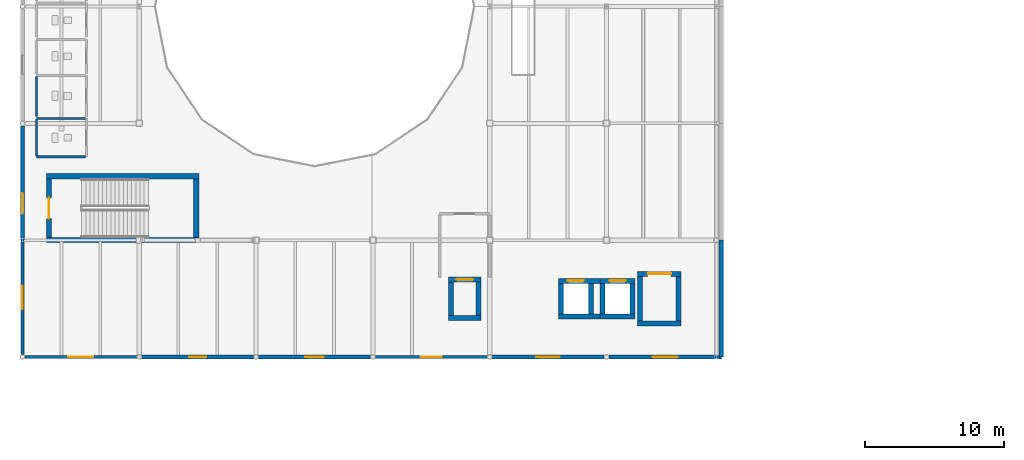
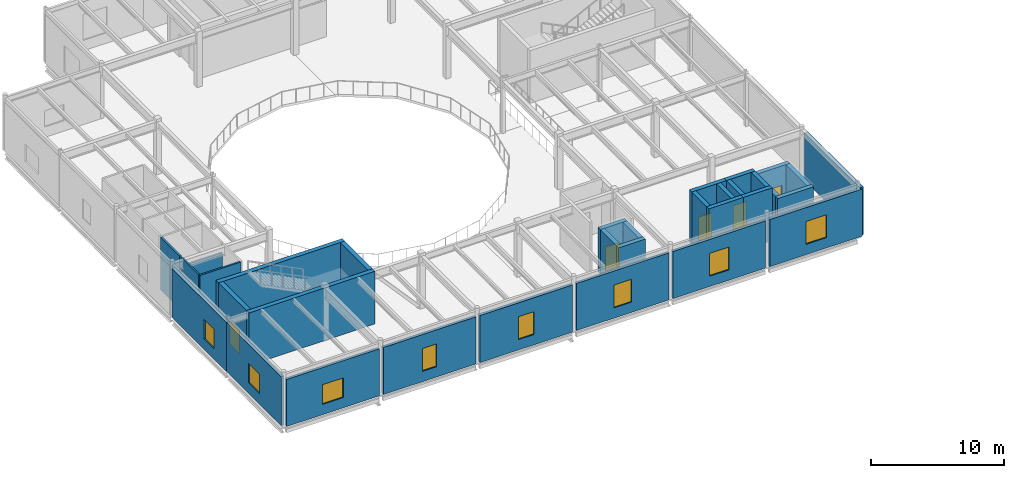
# One storey, part 32 of 57: 33 walls, 8 windows, 5 doors, 13 openings.
"""IFC4 building model written with IfcOpenShell, lengths in metres."""

from ifc_helpers import new_model, si_unit, direction, frame, frame_2d, origin, place, context, subcontext, project, spatial, rectangle, extrude, material, layer, layer_set, type_object, element, fill, save


model = new_model("IFC4")

# Units and contexts
model_context = context("Model", 3, precision=1e-05, world=origin(), true_north=direction((0.0, 1.0)))
body_context = subcontext(model_context, "Body", "Model", "MODEL_VIEW")
ifc_project = project(units=[si_unit("LENGTHUNIT", "METRE"), si_unit("AREAUNIT", "SQUARE_METRE"), si_unit("VOLUMEUNIT", "CUBIC_METRE"), si_unit("PLANEANGLEUNIT", "RADIAN"), si_unit("MASSUNIT", "GRAM", prefix="KILO"), si_unit("THERMODYNAMICTEMPERATUREUNIT", "KELVIN")], contexts=[model_context])

# Site, building, storey
site_placement = place(None, origin())
site = spatial("IfcSite", under=ifc_project, at=site_placement, CompositionType="ELEMENT")
building_placement = place(site_placement, origin())
building = spatial("IfcBuilding", under=site, at=building_placement, Name="Lustrewick Department Store", CompositionType="ELEMENT")
storey_placement = place(building_placement, frame((0.0, 0.0, 26.699951171875)))
storey = spatial("IfcBuildingStorey", under=building, at=storey_placement, Name="L06", CompositionType="ELEMENT", Elevation=26.699951171875)

# Wall, opening, window
ifc_material_1 = material(Name="Precast concrete C40", Category="concrete")
ifc_layer_1 = layer(ifc_material_1, 0.239990234375, Name="Precast concrete C40")
ifc_layer_set_1 = layer_set([ifc_layer_1], Name="Precast concrete C40")
wall_type_1 = type_object("IfcWallType", Name="EW01", PredefinedType="STANDARD", material=ifc_layer_set_1)
wall_1_placement = place(storey_placement, frame((8.39990234375, 50.39990234375, 0.0), z_axis=(0.0, 0.0, 1.0), x_axis=(0.0, -1.0, 0.0)))
wall_1 = element("IfcWall", 1, at=wall_1_placement, inside=storey, type_object=wall_type_1, Name="L06 V1 Exterior Wall EW01", PredefinedType="STANDARD", context=body_context, shape_type="SweptSolid", body=[
    extrude(rectangle(XDim=8.226806640625, YDim=0.239990234375, at=frame_2d((4.11328125, 0.0))), origin(), (0.0, 0.0, 1.0), 4.487060546875),
])
opening_1_placement = place(wall_1_placement, frame((3.2734375, 0.0, 0.949951171875)))
opening_1 = element("IfcOpeningElement", 2, at=opening_1_placement, cuts=wall_1, Name="Opening WN04", PredefinedType="OPENING", context=body_context, shape_type="SweptSolid", body=[
    extrude(rectangle(XDim=1.679931640625, YDim=1.800048828125, at=frame_2d((0.83984375, 0.89990234375))), frame((0.0, 0.1298828125, 0.0), z_axis=(0.0, -1.0, 0.0), x_axis=(1.0, 0.0, 0.0)), (0.0, 0.0, 1.0), 0.260009765625),
])
ifc_material_2 = material(Name="Thermally broken Low-E triple-glazed window", Category="glass")
window_type_1 = type_object("IfcWindowType", Name="WN04", PartitioningType="DOUBLE_PANEL_VERTICAL", PredefinedType="WINDOW", material=ifc_material_2)
window_1_placement = place(opening_1_placement, origin())
window_1 = element("IfcWindow", 3, at=window_1_placement, inside=storey, type_object=window_type_1, Name="L06 Art Nouveau Window WN04", OverallHeight=1.800048828125, OverallWidth=1.679931640625, PartitioningType="SINGLE_PANEL", PredefinedType="WINDOW", context=body_context, shape_type="SweptSolid", body=[
    extrude(rectangle(XDim=1.679931640625, YDim=1.800048828125, at=frame_2d((0.83984375, 0.89990234375))), frame((0.0, 0.030029296875, 0.0), z_axis=(0.0, -1.0, 0.0), x_axis=(1.0, 0.0, 0.0)), (0.0, 0.0, 1.0), 0.06005859375),
])
fill(opening_1, window_1)

wall_2_placement = place(storey_placement, frame((8.572998046875, 42.0, 0.0), z_axis=(0.0, 0.0, 1.0), x_axis=(1.0, 0.0, 0.0)))
wall_2 = element("IfcWall", 4, at=wall_2_placement, inside=storey, type_object=wall_type_1, Name="L06 V1 Exterior Wall EW01", PredefinedType="STANDARD", context=body_context, shape_type="SweptSolid", body=[
    extrude(rectangle(XDim=8.053955078125, YDim=0.239990234375, at=frame_2d((4.02685546875, 0.0))), origin(), (0.0, 0.0, 1.0), 4.3310546875),
])
opening_2_placement = place(wall_2_placement, frame((3.126953125, 0.0, 0.949951171875)))
opening_2 = element("IfcOpeningElement", 5, at=opening_2_placement, cuts=wall_2, Name="Opening WN05", PredefinedType="OPENING", context=body_context, shape_type="SweptSolid", body=[
    extrude(rectangle(XDim=1.800048828125, YDim=1.800048828125, at=frame_2d((0.89990234375, 0.89990234375))), frame((0.0, 0.1298828125, 0.0), z_axis=(0.0, -1.0, 0.0), x_axis=(1.0, 0.0, 0.0)), (0.0, 0.0, 1.0), 0.260009765625),
])
window_type_2 = type_object("IfcWindowType", Name="WN05", PartitioningType="DOUBLE_PANEL_VERTICAL", PredefinedType="WINDOW", material=ifc_material_2)
window_2_placement = place(opening_2_placement, origin())
window_2 = element("IfcWindow", 6, at=window_2_placement, inside=storey, type_object=window_type_2, Name="L06 Art Nouveau Window WN05", OverallHeight=1.800048828125, OverallWidth=1.800048828125, PartitioningType="SINGLE_PANEL", PredefinedType="WINDOW", context=body_context, shape_type="SweptSolid", body=[
    extrude(rectangle(XDim=1.800048828125, YDim=1.800048828125, at=frame_2d((0.89990234375, 0.89990234375))), frame((0.0, 0.030029296875, 0.0), z_axis=(0.0, -1.0, 0.0), x_axis=(1.0, 0.0, 0.0)), (0.0, 0.0, 1.0), 0.06005859375),
])
fill(opening_2, window_2)

wall_3_placement = place(storey_placement, frame((33.77294921875, 42.0, 0.0), z_axis=(0.0, 0.0, 1.0), x_axis=(1.0, 0.0, 0.0)))
wall_3 = element("IfcWall", 7, at=wall_3_placement, inside=storey, type_object=wall_type_1, Name="L06 V1 Exterior Wall EW01", PredefinedType="STANDARD", context=body_context, shape_type="SweptSolid", body=[
    extrude(rectangle(XDim=8.053955078125, YDim=0.239990234375, at=frame_2d((4.02685546875, 0.0))), origin(), (0.0, 0.0, 1.0), 4.3310546875),
])
opening_3_placement = place(wall_3_placement, frame((3.277099609375, 0.0, 0.949951171875)))
opening_3 = element("IfcOpeningElement", 8, at=opening_3_placement, cuts=wall_3, Name="Opening WN08", PredefinedType="OPENING", context=body_context, shape_type="SweptSolid", body=[
    extrude(rectangle(XDim=1.5, YDim=2.10009765625, at=frame_2d((0.75, 1.050048828125))), frame((0.0, 0.1298828125, 0.0), z_axis=(0.0, -1.0, 0.0), x_axis=(1.0, 0.0, 0.0)), (0.0, 0.0, 1.0), 0.260009765625),
])
window_type_3 = type_object("IfcWindowType", Name="WN08", PartitioningType="DOUBLE_PANEL_VERTICAL", PredefinedType="WINDOW", material=ifc_material_2)
window_3_placement = place(opening_3_placement, origin())
window_3 = element("IfcWindow", 9, at=window_3_placement, inside=storey, type_object=window_type_3, Name="L06 Art Nouveau Window WN08", OverallHeight=2.10009765625, OverallWidth=1.5, PartitioningType="SINGLE_PANEL", PredefinedType="WINDOW", context=body_context, shape_type="SweptSolid", body=[
    extrude(rectangle(XDim=1.5, YDim=2.10009765625, at=frame_2d((0.75, 1.050048828125))), frame((0.0, 0.030029296875, 0.0), z_axis=(0.0, -1.0, 0.0), x_axis=(1.0, 0.0, 0.0)), (0.0, 0.0, 1.0), 0.06005859375),
])
fill(opening_3, window_3)

ifc_layer_2 = layer(ifc_material_1, 0.260009765625, Name="Precast concrete C40")
ifc_layer_set_2 = layer_set([ifc_layer_2], Name="Precast concrete C40")
wall_type_2 = type_object("IfcWallType", Name="EW02", PredefinedType="STANDARD", material=ifc_layer_set_2)
wall_4_placement = place(storey_placement, frame((16.972900390625, 42.0, 0.0), z_axis=(0.0, 0.0, 1.0), x_axis=(1.0, 0.0, 0.0)))
wall_4 = element("IfcWall", 10, at=wall_4_placement, inside=storey, type_object=wall_type_2, Name="L06 V1 Exterior Wall EW02", PredefinedType="STANDARD", context=body_context, shape_type="SweptSolid", body=[
    extrude(rectangle(XDim=8.05419921875, YDim=0.260009765625, at=frame_2d((4.027099609375, 0.0))), origin(), (0.0, 0.0, 1.0), 4.3310546875),
])
opening_4_placement = place(wall_4_placement, frame((3.427001953125, 0.0, 0.949951171875)))
opening_4 = element("IfcOpeningElement", 11, at=opening_4_placement, cuts=wall_4, Name="Opening WN06", PredefinedType="OPENING", context=body_context, shape_type="SweptSolid", body=[
    extrude(rectangle(XDim=1.199951171875, YDim=2.10009765625, at=frame_2d((0.60009765625, 1.050048828125))), frame((0.0, 0.14013671875, 0.0), z_axis=(0.0, -1.0, 0.0), x_axis=(1.0, 0.0, 0.0)), (0.0, 0.0, 1.0), 0.280029296875),
])
window_type_4 = type_object("IfcWindowType", Name="WN06", PartitioningType="DOUBLE_PANEL_VERTICAL", PredefinedType="WINDOW", material=ifc_material_2)
window_4_placement = place(opening_4_placement, origin())
window_4 = element("IfcWindow", 12, at=window_4_placement, inside=storey, type_object=window_type_4, Name="L06 Art Nouveau Window WN06", OverallHeight=2.10009765625, OverallWidth=1.199951171875, PartitioningType="SINGLE_PANEL", PredefinedType="WINDOW", context=body_context, shape_type="SweptSolid", body=[
    extrude(rectangle(XDim=1.199951171875, YDim=2.10009765625, at=frame_2d((0.60009765625, 1.050048828125))), frame((0.0, 0.030029296875, 0.0), z_axis=(0.0, -1.0, 0.0), x_axis=(1.0, 0.0, 0.0)), (0.0, 0.0, 1.0), 0.06005859375),
])
fill(opening_4, window_4)

wall_5_placement = place(storey_placement, frame((42.173095703125, 42.0, 0.0), z_axis=(0.0, 0.0, 1.0), x_axis=(1.0, 0.0, 0.0)))
wall_5 = element("IfcWall", 13, at=wall_5_placement, inside=storey, type_object=wall_type_2, Name="L06 V1 Exterior Wall EW02", PredefinedType="STANDARD", context=body_context, shape_type="SweptSolid", body=[
    extrude(rectangle(XDim=8.053955078125, YDim=0.260009765625, at=frame_2d((4.02685546875, 0.0))), origin(), (0.0, 0.0, 1.0), 4.3310546875),
])
opening_5_placement = place(wall_5_placement, frame((3.18701171875, 0.0, 0.949951171875)))
opening_5 = element("IfcOpeningElement", 14, at=opening_5_placement, cuts=wall_5, Name="Opening WN09", PredefinedType="OPENING", context=body_context, shape_type="SweptSolid", body=[
    extrude(rectangle(XDim=1.679931640625, YDim=2.10009765625, at=frame_2d((0.83984375, 1.050048828125))), frame((0.0, 0.14013671875, 0.0), z_axis=(0.0, -1.0, 0.0), x_axis=(1.0, 0.0, 0.0)), (0.0, 0.0, 1.0), 0.280029296875),
])
window_type_5 = type_object("IfcWindowType", Name="WN09", PartitioningType="DOUBLE_PANEL_VERTICAL", PredefinedType="WINDOW", material=ifc_material_2)
window_5_placement = place(opening_5_placement, origin())
window_5 = element("IfcWindow", 15, at=window_5_placement, inside=storey, type_object=window_type_5, Name="L06 Art Nouveau Window WN09", OverallHeight=2.10009765625, OverallWidth=1.679931640625, PartitioningType="SINGLE_PANEL", PredefinedType="WINDOW", context=body_context, shape_type="SweptSolid", body=[
    extrude(rectangle(XDim=1.679931640625, YDim=2.10009765625, at=frame_2d((0.83984375, 1.050048828125))), frame((0.0, 0.030029296875, 0.0), z_axis=(0.0, -1.0, 0.0), x_axis=(1.0, 0.0, 0.0)), (0.0, 0.0, 1.0), 0.06005859375),
])
fill(opening_5, window_5)

ifc_layer_3 = layer(ifc_material_1, 0.280029296875, Name="Precast concrete C40")
ifc_layer_set_3 = layer_set([ifc_layer_3], Name="Precast concrete C40")
wall_type_3 = type_object("IfcWallType", Name="EW03", PredefinedType="STANDARD", material=ifc_layer_set_3)
wall_6_placement = place(storey_placement, frame((8.39990234375, 58.626953125, 0.0), z_axis=(0.0, 0.0, 1.0), x_axis=(0.0, -1.0, 0.0)))
wall_6 = element("IfcWall", 16, at=wall_6_placement, inside=storey, type_object=wall_type_3, Name="L06 V1 Exterior Wall EW03", PredefinedType="STANDARD", context=body_context, shape_type="SweptSolid", body=[
    extrude(rectangle(XDim=8.22705078125, YDim=0.280029296875, at=frame_2d((4.113525390625, 0.0))), origin(), (0.0, 0.0, 1.0), 4.487060546875),
])
opening_6_placement = place(wall_6_placement, frame((4.844482421875, 0.0, 0.949951171875)))
opening_6 = element("IfcOpeningElement", 17, at=opening_6_placement, cuts=wall_6, Name="Opening WN03", PredefinedType="OPENING", context=body_context, shape_type="SweptSolid", body=[
    extrude(rectangle(XDim=1.5, YDim=1.800048828125, at=frame_2d((0.75, 0.89990234375))), frame((0.0, 0.14990234375, 0.0), z_axis=(0.0, -1.0, 0.0), x_axis=(1.0, 0.0, 0.0)), (0.0, 0.0, 1.0), 0.300048828125),
])
window_type_6 = type_object("IfcWindowType", Name="WN03", PartitioningType="DOUBLE_PANEL_VERTICAL", PredefinedType="WINDOW", material=ifc_material_2)
window_6_placement = place(opening_6_placement, origin())
window_6 = element("IfcWindow", 18, at=window_6_placement, inside=storey, type_object=window_type_6, Name="L06 Art Nouveau Window WN03", OverallHeight=1.800048828125, OverallWidth=1.5, PartitioningType="SINGLE_PANEL", PredefinedType="WINDOW", context=body_context, shape_type="SweptSolid", body=[
    extrude(rectangle(XDim=1.5, YDim=1.800048828125, at=frame_2d((0.75, 0.89990234375))), frame((0.0, 0.030029296875, 0.0), z_axis=(0.0, -1.0, 0.0), x_axis=(1.0, 0.0, 0.0)), (0.0, 0.0, 1.0), 0.06005859375),
])
fill(opening_6, window_6)

wall_7_placement = place(storey_placement, frame((25.373046875, 42.0, 0.0), z_axis=(0.0, 0.0, 1.0), x_axis=(1.0, 0.0, 0.0)))
wall_7 = element("IfcWall", 19, at=wall_7_placement, inside=storey, type_object=wall_type_3, Name="L06 V1 Exterior Wall EW03", PredefinedType="STANDARD", context=body_context, shape_type="SweptSolid", body=[
    extrude(rectangle(XDim=8.053955078125, YDim=0.280029296875, at=frame_2d((4.02685546875, 0.0))), origin(), (0.0, 0.0, 1.0), 4.3310546875),
])
opening_7_placement = place(wall_7_placement, frame((3.35205078125, 0.0, 0.949951171875)))
opening_7 = element("IfcOpeningElement", 20, at=opening_7_placement, cuts=wall_7, Name="Opening WN07", PredefinedType="OPENING", context=body_context, shape_type="SweptSolid", body=[
    extrude(rectangle(XDim=1.35009765625, YDim=2.10009765625, at=frame_2d((0.675048828125, 1.050048828125))), frame((0.0, 0.14990234375, 0.0), z_axis=(0.0, -1.0, 0.0), x_axis=(1.0, 0.0, 0.0)), (0.0, 0.0, 1.0), 0.300048828125),
])
window_type_7 = type_object("IfcWindowType", Name="WN07", PartitioningType="DOUBLE_PANEL_VERTICAL", PredefinedType="WINDOW", material=ifc_material_2)
window_7_placement = place(opening_7_placement, origin())
window_7 = element("IfcWindow", 21, at=window_7_placement, inside=storey, type_object=window_type_7, Name="L06 Art Nouveau Window WN07", OverallHeight=2.10009765625, OverallWidth=1.35009765625, PartitioningType="SINGLE_PANEL", PredefinedType="WINDOW", context=body_context, shape_type="SweptSolid", body=[
    extrude(rectangle(XDim=1.35009765625, YDim=2.10009765625, at=frame_2d((0.675048828125, 1.050048828125))), frame((0.0, 0.030029296875, 0.0), z_axis=(0.0, -1.0, 0.0), x_axis=(1.0, 0.0, 0.0)), (0.0, 0.0, 1.0), 0.06005859375),
])
fill(opening_7, window_7)

wall_8_placement = place(storey_placement, frame((50.572998046875, 42.0, 0.0), z_axis=(0.0, 0.0, 1.0), x_axis=(1.0, 0.0, 0.0)))
wall_8 = element("IfcWall", 22, at=wall_8_placement, inside=storey, type_object=wall_type_3, Name="L06 V1 Exterior Wall EW03", PredefinedType="STANDARD", context=body_context, shape_type="SweptSolid", body=[
    extrude(rectangle(XDim=8.076904296875, YDim=0.280029296875, at=frame_2d((4.03857421875, 0.0))), origin(), (0.0, 0.0, 1.0), 4.3310546875),
])
opening_8_placement = place(wall_8_placement, frame((3.138427734375, 0.0, 0.949951171875)))
opening_8 = element("IfcOpeningElement", 23, at=opening_8_placement, cuts=wall_8, Name="Opening WN10", PredefinedType="OPENING", context=body_context, shape_type="SweptSolid", body=[
    extrude(rectangle(XDim=1.800048828125, YDim=2.10009765625, at=frame_2d((0.89990234375, 1.050048828125))), frame((0.0, 0.14990234375, 0.0), z_axis=(0.0, -1.0, 0.0), x_axis=(1.0, 0.0, 0.0)), (0.0, 0.0, 1.0), 0.300048828125),
])
window_type_8 = type_object("IfcWindowType", Name="WN10", PartitioningType="DOUBLE_PANEL_VERTICAL", PredefinedType="WINDOW", material=ifc_material_2)
window_8_placement = place(opening_8_placement, origin())
window_8 = element("IfcWindow", 24, at=window_8_placement, inside=storey, type_object=window_type_8, Name="L06 Art Nouveau Window WN10", OverallHeight=2.10009765625, OverallWidth=1.800048828125, PartitioningType="SINGLE_PANEL", PredefinedType="WINDOW", context=body_context, shape_type="SweptSolid", body=[
    extrude(rectangle(XDim=1.800048828125, YDim=2.10009765625, at=frame_2d((0.89990234375, 1.050048828125))), frame((0.0, 0.030029296875, 0.0), z_axis=(0.0, -1.0, 0.0), x_axis=(1.0, 0.0, 0.0)), (0.0, 0.0, 1.0), 0.06005859375),
])
fill(opening_8, window_8)

# Walls
ifc_layer_4 = layer(ifc_material_1, 0.300048828125, Name="Precast concrete C40")
ifc_layer_set_4 = layer_set([ifc_layer_4], Name="Precast concrete C40")
wall_type_4 = type_object("IfcWallType", Name="EW04", PredefinedType="STANDARD", material=ifc_layer_set_4)
wall_9_placement = place(storey_placement, frame((58.64990234375, 42.0, 0.0), z_axis=(0.0, 0.0, 1.0), x_axis=(0.0, 1.0, 0.0)))
element("IfcWall", 25, at=wall_9_placement, inside=storey, type_object=wall_type_4, Name="L06 V1 Exterior Wall EW04", PredefinedType="STANDARD", context=body_context, shape_type="SweptSolid", body=[
    extrude(rectangle(XDim=8.39990234375, YDim=0.300048828125, at=frame_2d((4.199951171875, 0.0))), origin(), (0.0, 0.0, 1.0), 4.39697265625),
])
ifc_material_3 = material(Name="Moisture-resistant cement board sanitary partition", Category="gypsum")
ifc_layer_5 = layer(ifc_material_3, 0.14990234375, Name="Moisture-resistant cement board sanitary partition")
ifc_layer_set_5 = layer_set([ifc_layer_5], Name="Moisture-resistant cement board sanitary partition")
wall_type_5 = type_object("IfcWallType", Name="PW05", PredefinedType="PARTITIONING", material=ifc_layer_set_5)
wall_10_placement = place(storey_placement, frame((9.39990234375, 56.39990234375, 0.0), z_axis=(0.0, 0.0, 1.0), x_axis=(1.0, 0.0, 0.0)))
element("IfcWall", 26, at=wall_10_placement, inside=storey, type_object=wall_type_5, Name="L06 Male Public WC PW05", PredefinedType="PARTITIONING", context=body_context, shape_type="SweptSolid", body=[
    extrude(rectangle(XDim=3.530029296875, YDim=0.14990234375, at=frame_2d((1.76513671875, 0.0))), origin(), (0.0, 0.0, 1.0), 4.844970703125),
])
wall_11_placement = place(storey_placement, frame((12.929931640625, 59.139892578125, 0.0), z_axis=(0.0, 0.0, 1.0), x_axis=(-1.0, 0.0, 0.0)))
element("IfcWall", 27, at=wall_11_placement, inside=storey, type_object=wall_type_5, Name="L06 Male Public WC PW05", PredefinedType="PARTITIONING", context=body_context, shape_type="SweptSolid", body=[
    extrude(rectangle(XDim=3.530029296875, YDim=0.14990234375, at=frame_2d((1.76513671875, 0.0))), origin(), (0.0, 0.0, 1.0), 4.045166015625),
])
wall_12_placement = place(storey_placement, frame((9.39990234375, 59.070068359375, 0.0), z_axis=(0.0, 0.0, 1.0), x_axis=(0.0, -1.0, 0.0)))
element("IfcWall", 28, at=wall_12_placement, inside=storey, type_object=wall_type_5, Name="L06 Male Public WC PW05", PredefinedType="PARTITIONING", context=body_context, shape_type="SweptSolid", body=[
    extrude(rectangle(XDim=2.60009765625, YDim=0.14990234375, at=frame_2d((1.300048828125, 0.0))), origin(), (0.0, 0.0, 1.0), 4.844970703125),
])
wall_13_placement = place(storey_placement, frame((9.39990234375, 62.169921875, 0.0), z_axis=(0.0, 0.0, 1.0), x_axis=(0.0, -1.0, 0.0)))
element("IfcWall", 29, at=wall_13_placement, inside=storey, type_object=wall_type_5, Name="L06 Female Public WC PW05", PredefinedType="PARTITIONING", context=body_context, shape_type="SweptSolid", body=[
    extrude(rectangle(XDim=2.869873046875, YDim=0.14990234375, at=frame_2d((1.43505859375, 0.0))), origin(), (0.0, 0.0, 1.0), 4.844970703125),
])
ifc_material_4 = material(Name="Concrete C40", Category="concrete")
ifc_layer_6 = layer(ifc_material_4, 0.3798828125, Name="Concrete C40")
ifc_layer_set_6 = layer_set([ifc_layer_6], Name="Concrete C40")
wall_type_6 = type_object("IfcWallType", Name="SW03", PredefinedType="SHEAR", material=ifc_layer_set_6)
wall_14_placement = place(storey_placement, frame((10.1201171875, 50.409912109375, 0.0), z_axis=(0.0, 0.0, 1.0), x_axis=(1.0, 0.0, 0.0)))
element("IfcWall", 30, at=wall_14_placement, inside=storey, type_object=wall_type_6, Name="L06 Stair Core ST01 Shear Wall S", PredefinedType="SHEAR", context=body_context, shape_type="SweptSolid", body=[
    extrude(rectangle(XDim=10.9599609375, YDim=0.3798828125, at=frame_2d((5.47998046875, 0.0))), origin(), (0.0, 0.0, 1.0), 4.844970703125),
])
wall_15_placement = place(storey_placement, frame((20.889892578125, 50.60009765625, 0.0), z_axis=(0.0, 0.0, 1.0), x_axis=(0.0, 1.0, 0.0)))
element("IfcWall", 31, at=wall_15_placement, inside=storey, type_object=wall_type_6, Name="L06 Stair Core ST01 Shear Wall E", PredefinedType="SHEAR", context=body_context, shape_type="SweptSolid", body=[
    extrude(rectangle(XDim=4.199951171875, YDim=0.3798828125, at=frame_2d((2.10009765625, 0.0))), origin(), (0.0, 0.0, 1.0), 4.844970703125),
])
wall_16_placement = place(storey_placement, frame((21.080078125, 54.989990234375, 0.0), z_axis=(0.0, 0.0, 1.0), x_axis=(-1.0, 0.0, 0.0)))
element("IfcWall", 32, at=wall_16_placement, inside=storey, type_object=wall_type_6, Name="L06 Stair Core ST01 Shear Wall N", PredefinedType="SHEAR", context=body_context, shape_type="SweptSolid", body=[
    extrude(rectangle(XDim=10.9599609375, YDim=0.3798828125, at=frame_2d((5.47998046875, 0.0))), origin(), (0.0, 0.0, 1.0), 4.844970703125),
])

# Wall, opening, door
wall_17_placement = place(storey_placement, frame((10.31005859375, 54.800048828125, 0.0), z_axis=(0.0, 0.0, 1.0), x_axis=(0.0, -1.0, 0.0)))
wall_17 = element("IfcWall", 33, at=wall_17_placement, inside=storey, type_object=wall_type_6, Name="L06 Stair Core ST01 Shear Wall W", PredefinedType="SHEAR", context=body_context, shape_type="SweptSolid", body=[
    extrude(rectangle(XDim=4.199951171875, YDim=0.3798828125, at=frame_2d((2.10009765625, 0.0))), origin(), (0.0, 0.0, 1.0), 4.844970703125),
])
opening_9_placement = place(wall_17_placement, frame((1.35009765625, 0.0, 0.0)))
opening_9 = element("IfcOpeningElement", 34, at=opening_9_placement, cuts=wall_17, Name="Opening D-L06-001", PredefinedType="OPENING", context=body_context, shape_type="SweptSolid", body=[
    extrude(rectangle(XDim=1.5, YDim=2.14990234375, at=frame_2d((0.75, 1.074951171875))), frame((0.0, 0.199951171875, 0.0), z_axis=(0.0, -1.0, 0.0), x_axis=(1.0, 0.0, 0.0)), (0.0, 0.0, 1.0), 0.39990234375),
])
ifc_material_5 = material(Name="Steel fire door Class B EI 60", Category="steel")
door_type_1 = type_object("IfcDoorType", Name="DT-07", OperationType="NOTDEFINED", PredefinedType="DOOR", material=ifc_material_5)
door_1_placement = place(opening_9_placement, origin())
door_1 = element("IfcDoor", 35, at=door_1_placement, inside=storey, type_object=door_type_1, Name="L06 Smoke-Proof Stair ST01 Fire Door", OperationType="SINGLE_SWING_RIGHT", OverallHeight=2.14990234375, OverallWidth=1.5, PredefinedType="DOOR", context=body_context, shape_type="SweptSolid", body=[
    extrude(rectangle(XDim=1.5, YDim=2.14990234375, at=frame_2d((0.75, 1.074951171875))), frame((0.0, 0.02490234375, 0.0), z_axis=(0.0, -1.0, 0.0), x_axis=(1.0, 0.0, 0.0)), (0.0, 0.0, 1.0), 0.050048828125),
])
fill(opening_9, door_1)

# Walls
ifc_layer_7 = layer(ifc_material_4, 0.360107421875, Name="Concrete C40")
ifc_layer_set_7 = layer_set([ifc_layer_7], Name="Concrete C40")
wall_type_7 = type_object("IfcWallType", Name="SW04", PredefinedType="SHEAR", material=ifc_layer_set_7)
wall_18_placement = place(storey_placement, frame((39.0400390625, 44.820068359375, 0.0), z_axis=(0.0, 0.0, 1.0), x_axis=(1.0, 0.0, 0.0)))
element("IfcWall", 36, at=wall_18_placement, inside=storey, type_object=wall_type_7, Name="L06 Lift FFL-01 Shaft Wall -Y", PredefinedType="SHEAR", context=body_context, shape_type="SweptSolid", body=[
    extrude(rectangle(XDim=2.320068359375, YDim=0.360107421875, at=frame_2d((1.16015625, 0.0))), origin(), (0.0, 0.0, 1.0), 4.094970703125),
])
wall_19_placement = place(storey_placement, frame((41.179931640625, 45.0, 0.0), z_axis=(0.0, 0.0, 1.0), x_axis=(0.0, 1.0, 0.0)))
element("IfcWall", 37, at=wall_19_placement, inside=storey, type_object=wall_type_7, Name="L06 Lift FFL-01 Shaft Wall +X", PredefinedType="SHEAR", context=body_context, shape_type="SweptSolid", body=[
    extrude(rectangle(XDim=2.39990234375, YDim=0.360107421875, at=frame_2d((1.199951171875, 0.0))), origin(), (0.0, 0.0, 1.0), 4.094970703125),
])

# Wall, opening, door
wall_20_placement = place(storey_placement, frame((41.360107421875, 47.580078125, 0.0), z_axis=(0.0, 0.0, 1.0), x_axis=(-1.0, 0.0, 0.0)))
wall_20 = element("IfcWall", 38, at=wall_20_placement, inside=storey, type_object=wall_type_7, Name="L06 Lift FFL-01 Shaft Wall +Y", PredefinedType="SHEAR", context=body_context, shape_type="SweptSolid", body=[
    extrude(rectangle(XDim=2.320068359375, YDim=0.360107421875, at=frame_2d((1.16015625, 0.0))), origin(), (0.0, 0.0, 1.0), 4.094970703125),
])
opening_10_placement = place(wall_20_placement, frame((0.534912109375, 0.0, 0.0)))
opening_10 = element("IfcOpeningElement", 39, at=opening_10_placement, cuts=wall_20, Name="Opening LD-L06-01", PredefinedType="OPENING", context=body_context, shape_type="SweptSolid", body=[
    extrude(rectangle(XDim=1.25, YDim=2.199951171875, at=frame_2d((0.625, 1.10009765625))), frame((0.0, 0.18994140625, 0.0), z_axis=(0.0, -1.0, 0.0), x_axis=(1.0, 0.0, 0.0)), (0.0, 0.0, 1.0), 0.380126953125),
])
ifc_material_6 = material(Name="Stainless steel firefighting lift landing door EI 90", Category="steel")
door_type_2 = type_object("IfcDoorType", Name="DT-15", OperationType="NOTDEFINED", PredefinedType="DOOR", material=ifc_material_6)
door_2_placement = place(opening_10_placement, frame((1.25, 0.0, 0.0), z_axis=(0.0, 0.0, 1.0), x_axis=(-1.0, 0.0, 0.0)))
door_2 = element("IfcDoor", 40, at=door_2_placement, inside=storey, type_object=door_type_2, Name="L06 Lift FFL-01 Sliding Landing Door LD-L06-01", OperationType="DOUBLE_DOOR_SLIDING", OverallHeight=2.199951171875, OverallWidth=1.25, PredefinedType="DOOR", context=body_context, shape_type="SweptSolid", body=[
    extrude(rectangle(XDim=1.25, YDim=2.199951171875, at=frame_2d((0.625, 1.10009765625))), frame((0.0, 0.02490234375, 0.0), z_axis=(0.0, -1.0, 0.0), x_axis=(1.0, 0.0, 0.0)), (0.0, 0.0, 1.0), 0.050048828125),
])
fill(opening_10, door_2)

# Walls
wall_21_placement = place(storey_placement, frame((39.219970703125, 47.39990234375, 0.0), z_axis=(0.0, 0.0, 1.0), x_axis=(0.0, -1.0, 0.0)))
element("IfcWall", 41, at=wall_21_placement, inside=storey, type_object=wall_type_7, Name="L06 Lift FFL-01 Shaft Wall -X", PredefinedType="SHEAR", context=body_context, shape_type="SweptSolid", body=[
    extrude(rectangle(XDim=2.39990234375, YDim=0.360107421875, at=frame_2d((1.199951171875, 0.0))), origin(), (0.0, 0.0, 1.0), 4.094970703125),
])
wall_22_placement = place(storey_placement, frame((46.93994140625, 44.919921875, 0.0), z_axis=(0.0, 0.0, 1.0), x_axis=(1.0, 0.0, 0.0)))
element("IfcWall", 42, at=wall_22_placement, inside=storey, type_object=wall_type_7, Name="L06 Lift PL-01 Shaft Wall -Y", PredefinedType="SHEAR", context=body_context, shape_type="SweptSolid", body=[
    extrude(rectangle(XDim=3.0, YDim=0.360107421875, at=frame_2d((1.5, 0.0))), origin(), (0.0, 0.0, 1.0), 4.844970703125),
])
wall_23_placement = place(storey_placement, frame((49.280029296875, 45.10009765625, 0.0), z_axis=(0.0, 0.0, 1.0), x_axis=(0.0, 1.0, 0.0)))
element("IfcWall", 43, at=wall_23_placement, inside=storey, type_object=wall_type_7, Name="L06 Lift PL-01 Shaft Wall +X", PredefinedType="SHEAR", context=body_context, shape_type="SweptSolid", body=[
    extrude(rectangle(XDim=2.199951171875, YDim=0.360107421875, at=frame_2d((1.10009765625, 0.0))), origin(), (0.0, 0.0, 1.0), 4.844970703125),
])

# Wall, opening, door
wall_24_placement = place(storey_placement, frame((49.93994140625, 47.47998046875, 0.0), z_axis=(0.0, 0.0, 1.0), x_axis=(-1.0, 0.0, 0.0)))
wall_24 = element("IfcWall", 44, at=wall_24_placement, inside=storey, type_object=wall_type_7, Name="L06 Lift PL-01 Shaft Wall +Y", PredefinedType="SHEAR", context=body_context, shape_type="SweptSolid", body=[
    extrude(rectangle(XDim=3.0, YDim=0.360107421875, at=frame_2d((1.5, 0.0))), origin(), (0.0, 0.0, 1.0), 4.844970703125),
])
opening_11_placement = place(wall_24_placement, frame((1.1650390625, 0.0, 0.0)))
opening_11 = element("IfcOpeningElement", 45, at=opening_11_placement, cuts=wall_24, Name="Opening LD-L06-04", PredefinedType="OPENING", context=body_context, shape_type="SweptSolid", body=[
    extrude(rectangle(XDim=1.14990234375, YDim=2.199951171875, at=frame_2d((0.574951171875, 1.10009765625))), frame((0.0, 0.18994140625, 0.0), z_axis=(0.0, -1.0, 0.0), x_axis=(1.0, 0.0, 0.0)), (0.0, 0.0, 1.0), 0.380126953125),
])
ifc_material_7 = material(Name="Brushed bronze passenger lift landing door EI 60", Category="steel")
door_type_3 = type_object("IfcDoorType", Name="DT-16", OperationType="NOTDEFINED", PredefinedType="DOOR", material=ifc_material_7)
door_3_placement = place(opening_11_placement, frame((1.14990234375, 0.0, 0.0), z_axis=(0.0, 0.0, 1.0), x_axis=(-1.0, 0.0, 0.0)))
door_3 = element("IfcDoor", 46, at=door_3_placement, inside=storey, type_object=door_type_3, Name="L06 Lift PL-01 Sliding Landing Door LD-L06-04", OperationType="DOUBLE_DOOR_SLIDING", OverallHeight=2.199951171875, OverallWidth=1.14990234375, PredefinedType="DOOR", context=body_context, shape_type="SweptSolid", body=[
    extrude(rectangle(XDim=1.14990234375, YDim=2.199951171875, at=frame_2d((0.574951171875, 1.10009765625))), frame((0.0, 0.02490234375, 0.0), z_axis=(0.0, -1.0, 0.0), x_axis=(1.0, 0.0, 0.0)), (0.0, 0.0, 1.0), 0.050048828125),
])
fill(opening_11, door_3)

# Walls
wall_25_placement = place(storey_placement, frame((47.1201171875, 47.300048828125, 0.0), z_axis=(0.0, 0.0, 1.0), x_axis=(0.0, -1.0, 0.0)))
element("IfcWall", 47, at=wall_25_placement, inside=storey, type_object=wall_type_7, Name="L06 Lift PL-01 Shaft Wall -X", PredefinedType="SHEAR", context=body_context, shape_type="SweptSolid", body=[
    extrude(rectangle(XDim=2.199951171875, YDim=0.360107421875, at=frame_2d((1.10009765625, 0.0))), origin(), (0.0, 0.0, 1.0), 4.844970703125),
])
wall_26_placement = place(storey_placement, frame((49.93994140625, 44.919921875, 0.0), z_axis=(0.0, 0.0, 1.0), x_axis=(1.0, 0.0, 0.0)))
element("IfcWall", 48, at=wall_26_placement, inside=storey, type_object=wall_type_7, Name="L06 Lift PL-02 Shaft Wall -Y", PredefinedType="SHEAR", context=body_context, shape_type="SweptSolid", body=[
    extrude(rectangle(XDim=2.52001953125, YDim=0.360107421875, at=frame_2d((1.260009765625, 0.0))), origin(), (0.0, 0.0, 1.0), 4.844970703125),
])
wall_27_placement = place(storey_placement, frame((52.280029296875, 45.10009765625, 0.0), z_axis=(0.0, 0.0, 1.0), x_axis=(0.0, 1.0, 0.0)))
element("IfcWall", 49, at=wall_27_placement, inside=storey, type_object=wall_type_7, Name="L06 Lift PL-02 Shaft Wall +X", PredefinedType="SHEAR", context=body_context, shape_type="SweptSolid", body=[
    extrude(rectangle(XDim=2.199951171875, YDim=0.360107421875, at=frame_2d((1.10009765625, 0.0))), origin(), (0.0, 0.0, 1.0), 4.844970703125),
])

# Wall, opening, door
wall_28_placement = place(storey_placement, frame((52.4599609375, 47.47998046875, 0.0), z_axis=(0.0, 0.0, 1.0), x_axis=(-1.0, 0.0, 0.0)))
wall_28 = element("IfcWall", 50, at=wall_28_placement, inside=storey, type_object=wall_type_7, Name="L06 Lift PL-02 Shaft Wall +Y", PredefinedType="SHEAR", context=body_context, shape_type="SweptSolid", body=[
    extrude(rectangle(XDim=2.52001953125, YDim=0.360107421875, at=frame_2d((1.260009765625, 0.0))), origin(), (0.0, 0.0, 1.0), 4.844970703125),
])
opening_12_placement = place(wall_28_placement, frame((0.68505859375, 0.0, 0.0)))
opening_12 = element("IfcOpeningElement", 51, at=opening_12_placement, cuts=wall_28, Name="Opening LD-L06-05", PredefinedType="OPENING", context=body_context, shape_type="SweptSolid", body=[
    extrude(rectangle(XDim=1.14990234375, YDim=2.199951171875, at=frame_2d((0.574951171875, 1.10009765625))), frame((0.0, 0.18994140625, 0.0), z_axis=(0.0, -1.0, 0.0), x_axis=(1.0, 0.0, 0.0)), (0.0, 0.0, 1.0), 0.380126953125),
])
door_4_placement = place(opening_12_placement, frame((1.14990234375, 0.0, 0.0), z_axis=(0.0, 0.0, 1.0), x_axis=(-1.0, 0.0, 0.0)))
door_4 = element("IfcDoor", 52, at=door_4_placement, inside=storey, type_object=door_type_3, Name="L06 Lift PL-02 Sliding Landing Door LD-L06-05", OperationType="DOUBLE_DOOR_SLIDING", OverallHeight=2.199951171875, OverallWidth=1.14990234375, PredefinedType="DOOR", context=body_context, shape_type="SweptSolid", body=[
    extrude(rectangle(XDim=1.14990234375, YDim=2.199951171875, at=frame_2d((0.574951171875, 1.10009765625))), frame((0.0, 0.02490234375, 0.0), z_axis=(0.0, -1.0, 0.0), x_axis=(1.0, 0.0, 0.0)), (0.0, 0.0, 1.0), 0.050048828125),
])
fill(opening_12, door_4)

# Walls
wall_29_placement = place(storey_placement, frame((50.1201171875, 47.300048828125, 0.0), z_axis=(0.0, 0.0, 1.0), x_axis=(0.0, -1.0, 0.0)))
element("IfcWall", 53, at=wall_29_placement, inside=storey, type_object=wall_type_7, Name="L06 Lift PL-02 Shaft Wall -X", PredefinedType="SHEAR", context=body_context, shape_type="SweptSolid", body=[
    extrude(rectangle(XDim=2.199951171875, YDim=0.360107421875, at=frame_2d((1.10009765625, 0.0))), origin(), (0.0, 0.0, 1.0), 4.844970703125),
])
wall_30_placement = place(storey_placement, frame((52.639892578125, 44.419921875, 0.0), z_axis=(0.0, 0.0, 1.0), x_axis=(1.0, 0.0, 0.0)))
element("IfcWall", 54, at=wall_30_placement, inside=storey, type_object=wall_type_7, Name="L06 Lift GL-01 Shaft Wall -Y", PredefinedType="SHEAR", context=body_context, shape_type="SweptSolid", body=[
    extrude(rectangle(XDim=3.1201171875, YDim=0.360107421875, at=frame_2d((1.56005859375, 0.0))), origin(), (0.0, 0.0, 1.0), 4.094970703125),
])
wall_31_placement = place(storey_placement, frame((55.580078125, 44.60009765625, 0.0), z_axis=(0.0, 0.0, 1.0), x_axis=(0.0, 1.0, 0.0)))
element("IfcWall", 55, at=wall_31_placement, inside=storey, type_object=wall_type_7, Name="L06 Lift GL-01 Shaft Wall +X", PredefinedType="SHEAR", context=body_context, shape_type="SweptSolid", body=[
    extrude(rectangle(XDim=3.199951171875, YDim=0.360107421875, at=frame_2d((1.60009765625, 0.0))), origin(), (0.0, 0.0, 1.0), 4.094970703125),
])

# Wall, opening, door
wall_32_placement = place(storey_placement, frame((55.760009765625, 47.97998046875, 0.0), z_axis=(0.0, 0.0, 1.0), x_axis=(-1.0, 0.0, 0.0)))
wall_32 = element("IfcWall", 56, at=wall_32_placement, inside=storey, type_object=wall_type_7, Name="L06 Lift GL-01 Shaft Wall +Y", PredefinedType="SHEAR", context=body_context, shape_type="SweptSolid", body=[
    extrude(rectangle(XDim=3.1201171875, YDim=0.360107421875, at=frame_2d((1.56005859375, 0.0))), origin(), (0.0, 0.0, 1.0), 4.094970703125),
])
opening_13_placement = place(wall_32_placement, frame((0.7099609375, 0.0, 0.0)))
opening_13 = element("IfcOpeningElement", 57, at=opening_13_placement, cuts=wall_32, Name="Opening LD-L06-08", PredefinedType="OPENING", context=body_context, shape_type="SweptSolid", body=[
    extrude(rectangle(XDim=1.699951171875, YDim=2.300048828125, at=frame_2d((0.85009765625, 1.14990234375))), frame((0.0, 0.18994140625, 0.0), z_axis=(0.0, -1.0, 0.0), x_axis=(1.0, 0.0, 0.0)), (0.0, 0.0, 1.0), 0.380126953125),
])
ifc_material_8 = material(Name="Heavy-duty stainless goods lift landing door EI 90", Category="steel")
door_type_4 = type_object("IfcDoorType", Name="DT-17", OperationType="NOTDEFINED", PredefinedType="DOOR", material=ifc_material_8)
door_5_placement = place(opening_13_placement, frame((1.699951171875, 0.0, 0.0), z_axis=(0.0, 0.0, 1.0), x_axis=(-1.0, 0.0, 0.0)))
door_5 = element("IfcDoor", 58, at=door_5_placement, inside=storey, type_object=door_type_4, Name="L06 Lift GL-01 Sliding Landing Door LD-L06-08", OperationType="DOUBLE_DOOR_SLIDING", OverallHeight=2.300048828125, OverallWidth=1.699951171875, PredefinedType="DOOR", context=body_context, shape_type="SweptSolid", body=[
    extrude(rectangle(XDim=1.699951171875, YDim=2.300048828125, at=frame_2d((0.85009765625, 1.14990234375))), frame((0.0, 0.02490234375, 0.0), z_axis=(0.0, -1.0, 0.0), x_axis=(1.0, 0.0, 0.0)), (0.0, 0.0, 1.0), 0.050048828125),
])
fill(opening_13, door_5)

# Wall
wall_33_placement = place(storey_placement, frame((52.820068359375, 47.800048828125, 0.0), z_axis=(0.0, 0.0, 1.0), x_axis=(0.0, -1.0, 0.0)))
element("IfcWall", 59, at=wall_33_placement, inside=storey, type_object=wall_type_7, Name="L06 Lift GL-01 Shaft Wall -X", PredefinedType="SHEAR", context=body_context, shape_type="SweptSolid", body=[
    extrude(rectangle(XDim=3.199951171875, YDim=0.360107421875, at=frame_2d((1.60009765625, 0.0))), origin(), (0.0, 0.0, 1.0), 4.094970703125),
])

save(model, "model.ifc")
